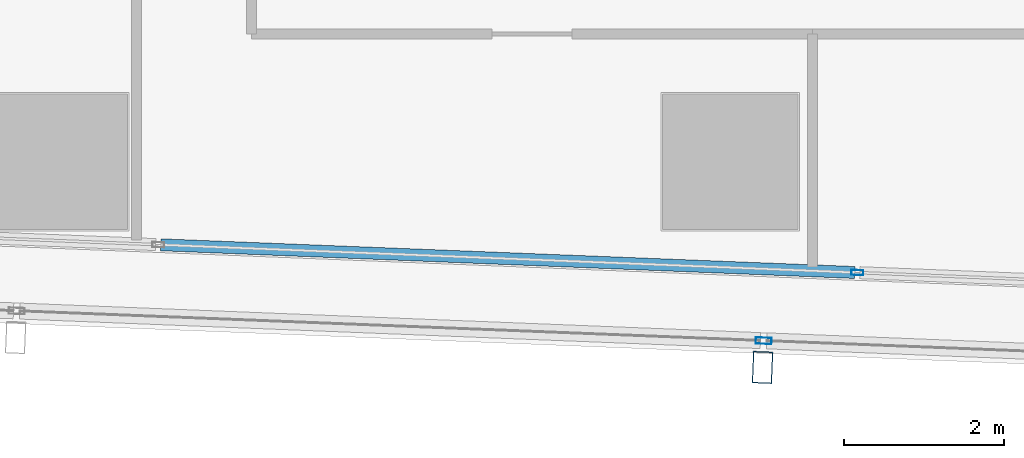
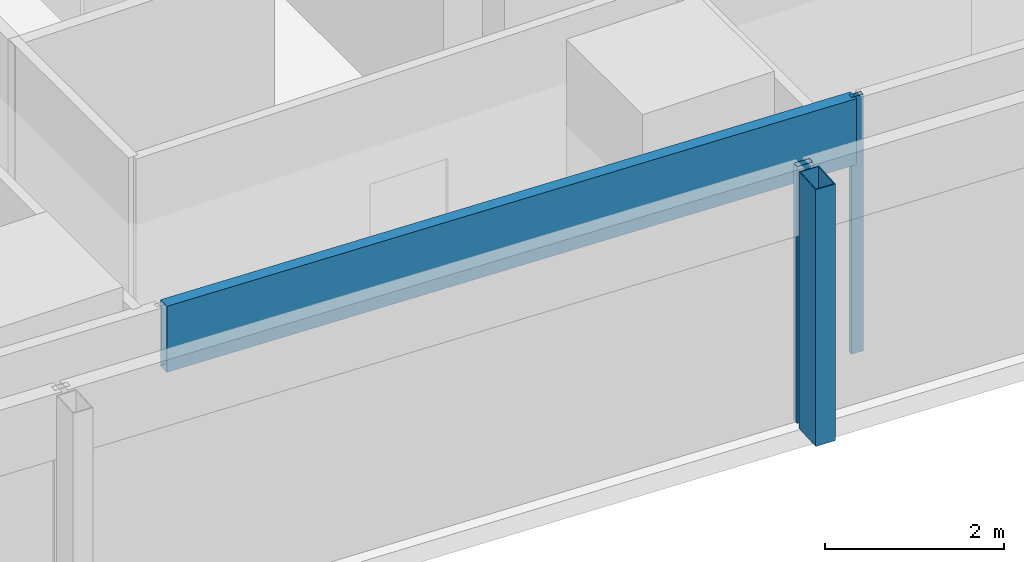
# One storey, part 6 of 39: 4 members, 2 elements without a shape of their own.
"""IFC4 building model written with IfcOpenShell, lengths in metres."""

from ifc_helpers import new_model, si_unit, direction, frame, origin, origin_2d, place, context, subcontext, project, spatial, hollow_rectangle, extrude, material, material_profile, profile_set, type_object, element, aggregate, save


model = new_model("IFC4")

# Units and contexts
model_context = context("Model", 3, precision=1e-05, world=origin(), true_north=direction((0.0, 1.0)))
body_context = subcontext(model_context, "Body", "Model", "MODEL_VIEW")
ifc_project = project(units=[si_unit("LENGTHUNIT", "METRE"), si_unit("AREAUNIT", "SQUARE_METRE"), si_unit("VOLUMEUNIT", "CUBIC_METRE"), si_unit("PLANEANGLEUNIT", "RADIAN"), si_unit("MASSUNIT", "GRAM", prefix="KILO")], contexts=[model_context])

# Site, building, storey
site_placement = place(None, origin())
site = spatial("IfcSite", under=ifc_project, at=site_placement, CompositionType="ELEMENT")
building_placement = place(site_placement, origin())
building = spatial("IfcBuilding", under=site, at=building_placement, Name="Rekha Terrace Tower", CompositionType="ELEMENT")
storey_placement = place(building_placement, frame((0.0, 0.0, 183.949951171875)))
storey = spatial("IfcBuildingStorey", under=building, at=storey_placement, Name="L46", CompositionType="ELEMENT", Elevation=183.949951171875)

# Curtain wall, member
ifc_material_1 = material(Name="Aluminium framing", Category="aluminium")
curtain_wall_type_1 = type_object("IfcCurtainWallType", Name="CW2 double skin outer glazing", PredefinedType="USERDEFINED", material=ifc_material_1)
curtain_wall_1_placement = place(storey_placement, origin())
curtain_wall_1 = element("IfcCurtainWall", 1, at=curtain_wall_1_placement, inside=storey, type_object=curtain_wall_type_1, Name="CW2 double skin outer glazing", ObjectType="DOUBLE SKIN OUTER GLAZING", PredefinedType="USERDEFINED")
ifc_material_2 = material(Name="Steel S355 with fluorocarbon finish", Category="steel")
ifc_material_profile_1 = material_profile(ifc_material_2, hollow_rectangle(XDim=0.25, YDim=0.39990234375, WallThickness=0.012451171875, at=origin_2d()), Name="RHS400x250x12.5")
ifc_profile_set_1 = profile_set([ifc_material_profile_1], Name="Steel S355 with fluorocarbon finish")
member_type_1 = type_object("IfcMemberType", Name="BL1 facade blade RHS 400 x 250", PredefinedType="USERDEFINED", material=ifc_profile_set_1)
member_1_placement = place(storey_placement, frame((25.60498046875, 14.222412109375, 0.0), z_axis=(0.0, 0.0, 1.0), x_axis=(0.999204797763, -0.039871946621, 0.0)))
member_1 = element("IfcMember", 2, at=member_1_placement, type_object=member_type_1, Name="Facade blade", ObjectType="FACADE BLADE", PredefinedType="USERDEFINED", context=body_context, shape_type="SweptSolid", body=[
    extrude(hollow_rectangle(XDim=0.25, YDim=0.39990234375, WallThickness=0.012451171875, at=origin_2d()), origin(), (0.0, 0.0, 1.0), 3.5),
])

# Curtain wall, members
curtain_wall_type_2 = type_object("IfcCurtainWallType", Name="CW1 double skin inner glazing", PredefinedType="USERDEFINED", material=ifc_material_1)
curtain_wall_2_placement = place(storey_placement, origin())
curtain_wall_2 = element("IfcCurtainWall", 3, at=curtain_wall_2_placement, inside=storey, type_object=curtain_wall_type_2, Name="CW1 double skin inner glazing", ObjectType="DOUBLE SKIN INNER GLAZING", PredefinedType="USERDEFINED")
ifc_material_3 = material(Name="Aluminium mullion section", Category="aluminium")
ifc_material_profile_2 = material_profile(ifc_material_3, hollow_rectangle(XDim=0.06494140625, YDim=0.14990234375, WallThickness=0.00390625, at=origin_2d()), Name="AL RHS 65x150")
ifc_profile_set_2 = profile_set([ifc_material_profile_2], Name="Aluminium mullion section")
member_type_2 = type_object("IfcMemberType", Name="CW1 mullion RHS 65 x 150", PredefinedType="MULLION", material=ifc_profile_set_2)
member_2_placement = place(storey_placement, frame((26.792724609375, 15.4111328125, 0.0), z_axis=(0.0, 0.0, 1.0), x_axis=(0.039872497044, 0.999204775799, 0.0)))
member_2 = element("IfcMember", 4, at=member_2_placement, type_object=member_type_2, Name="CW1 mullion 3", PredefinedType="MULLION", context=body_context, shape_type="SweptSolid", body=[
    extrude(hollow_rectangle(XDim=0.06494140625, YDim=0.14990234375, WallThickness=0.00390625, at=origin_2d()), origin(), (0.0, 0.0, 1.0), 3.5),
])
ifc_material_4 = material(Name="Insulated aluminium spandrel box", Category="aluminium")
ifc_material_profile_3 = material_profile(ifc_material_4, hollow_rectangle(XDim=0.14990234375, YDim=0.89990234375, WallThickness=0.0029296875, at=origin_2d()), Name="AL SPANDREL BOX 150x900")
ifc_profile_set_3 = profile_set([ifc_material_profile_3], Name="Insulated aluminium spandrel box")
member_type_3 = type_object("IfcMemberType", Name="CW1 spandrel transom 150 x 900", PredefinedType="USERDEFINED", material=ifc_profile_set_3)
member_3_placement = place(storey_placement, frame((18.065673828125, 15.75927734375, 3.050048828125), z_axis=(0.999204898015, -0.039869434198, 0.0), x_axis=(0.039869434198, 0.999204898015, 0.0)))
member_3 = element("IfcMember", 5, at=member_3_placement, type_object=member_type_3, Name="CW1 spandrel transom 2", ObjectType="TRANSOM", PredefinedType="USERDEFINED", context=body_context, shape_type="SweptSolid", body=[
    extrude(hollow_rectangle(XDim=0.14990234375, YDim=0.89990234375, WallThickness=0.0029296875, at=origin_2d()), origin(), (0.0, 0.0, 1.0), 8.701416015625),
])
aggregate(curtain_wall_2, [member_2, member_3])

# Member
ifc_material_profile_4 = material_profile(ifc_material_3, hollow_rectangle(XDim=0.080078125, YDim=0.199951171875, WallThickness=0.00390625, at=origin_2d()), Name="AL RHS 80x200")
ifc_profile_set_4 = profile_set([ifc_material_profile_4], Name="Aluminium mullion section")
member_type_4 = type_object("IfcMemberType", Name="CW2 mullion RHS 80 x 200", PredefinedType="MULLION", material=ifc_profile_set_4)
member_4_placement = place(storey_placement, frame((25.618408203125, 14.55712890625, 0.0), z_axis=(0.0, 0.0, 1.0), x_axis=(0.039872497044, 0.999204775799, 0.0)))
member_4 = element("IfcMember", 6, at=member_4_placement, type_object=member_type_4, Name="CW2 mullion 3", PredefinedType="MULLION", context=body_context, shape_type="SweptSolid", body=[
    extrude(hollow_rectangle(XDim=0.080078125, YDim=0.199951171875, WallThickness=0.00390625, at=origin_2d()), origin(), (0.0, 0.0, 1.0), 3.5),
])

aggregate(curtain_wall_1, [member_4, member_1])

save(model, "model.ifc")
